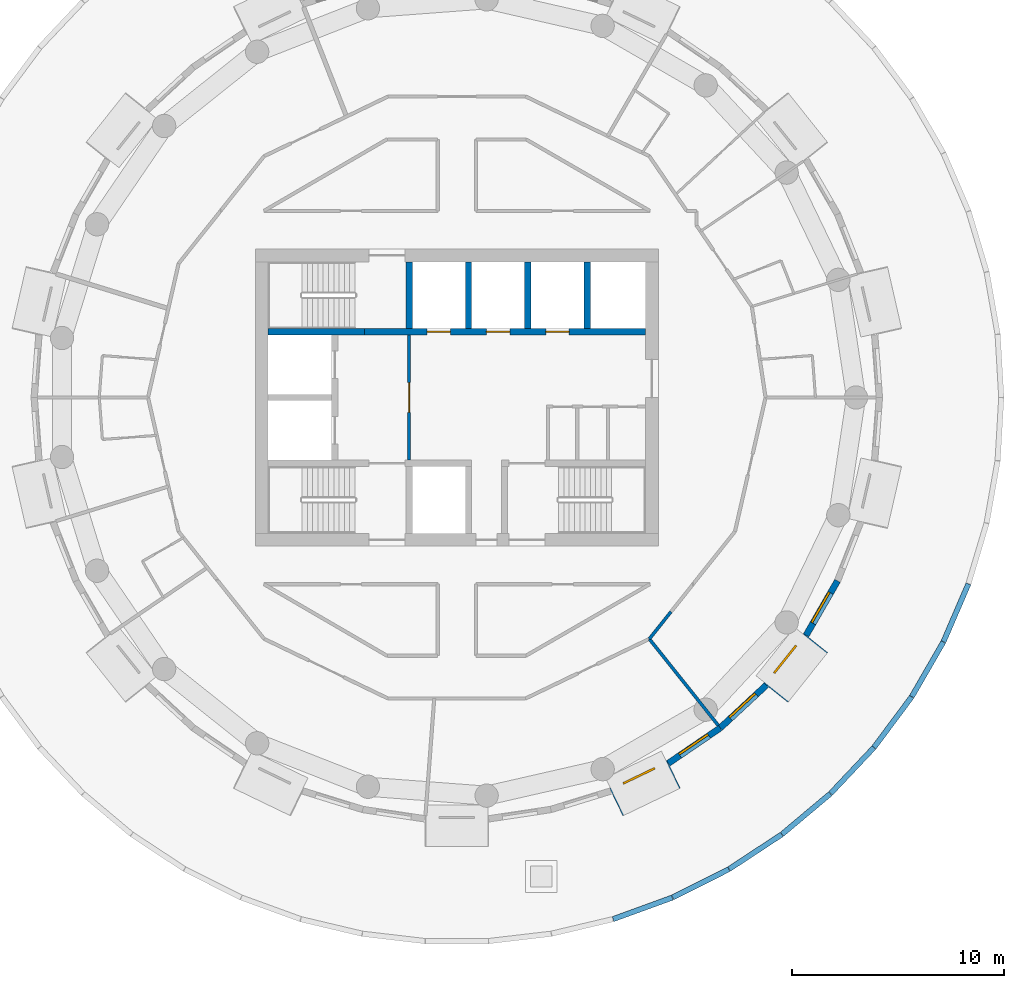
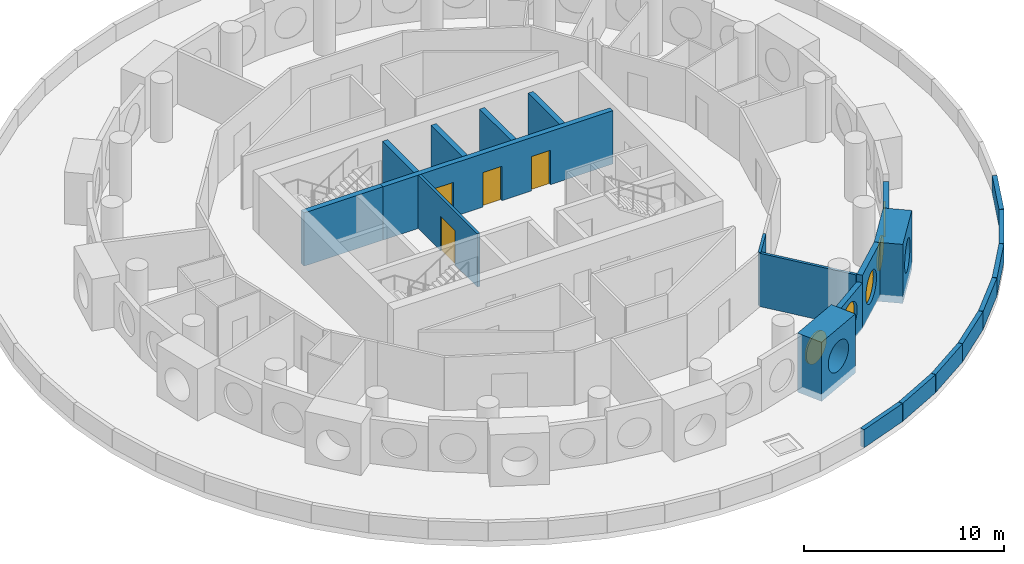
# One storey, part 5 of 13: 22 walls, 5 windows, 4 doors, 9 openings.
"""IFC4 building model written with IfcOpenShell, lengths in metres."""

from ifc_helpers import new_model, si_unit, direction, frame, frame_2d, origin, origin_2d, place, context, subcontext, project, spatial, rectangle, circle, extrude, material, layer, layer_set, type_object, element, fill, save


model = new_model("IFC4")

# Units and contexts
model_context = context("Model", 3, precision=1e-05, world=origin(), true_north=direction((0.0, 1.0)))
body_context = subcontext(model_context, "Body", "Model", "MODEL_VIEW")
ifc_project = project(units=[si_unit("LENGTHUNIT", "METRE"), si_unit("AREAUNIT", "SQUARE_METRE"), si_unit("VOLUMEUNIT", "CUBIC_METRE"), si_unit("PLANEANGLEUNIT", "RADIAN"), si_unit("MASSUNIT", "GRAM", prefix="KILO")], contexts=[model_context])

# Site, building, storey
site_placement = place(None, origin())
site = spatial("IfcSite", under=ifc_project, at=site_placement, CompositionType="ELEMENT")
building_placement = place(site_placement, origin())
building = spatial("IfcBuilding", under=site, at=building_placement, Name="Tracery Tower", CompositionType="ELEMENT")
storey_placement = place(building_placement, frame((0.0, 0.0, 231.0)))
storey = spatial("IfcBuildingStorey", under=building, at=storey_placement, Name="L59", CompositionType="ELEMENT", Elevation=231.0)

# Wall, opening, door
ifc_material_1 = material(Name="Plasterboard on steel studs", Category="steel")
ifc_layer_1 = layer(ifc_material_1, 0.14990234375)
ifc_layer_set_1 = layer_set([ifc_layer_1], Name="Core lobby partition 150")
wall_type_1 = type_object("IfcWallType", Name="Core lobby partition 150", PredefinedType="SOLIDWALL", material=ifc_layer_set_1)
wall_1_placement = place(storey_placement, frame((-2.25, -2.949951171875, 0.0), z_axis=(0.0, 0.0, 1.0), x_axis=(0.0, 1.0, 0.0)))
wall_1 = element("IfcWall", 1, at=wall_1_placement, inside=storey, type_object=wall_type_1, Name="L59 FF lobby E", PredefinedType="SOLIDWALL", context=body_context, shape_type="SweptSolid", body=[
    extrude(rectangle(XDim=5.89990234375, YDim=0.14990234375, at=frame_2d((2.949951171875, 0.0))), origin(), (0.0, 0.0, 1.0), 3.25),
])
opening_1_placement = place(wall_1_placement, frame((2.25, 0.0, 0.0)))
opening_1 = element("IfcOpeningElement", 2, at=opening_1_placement, cuts=wall_1, Name="Opening KD8", PredefinedType="OPENING", context=body_context, shape_type="SweptSolid", body=[
    extrude(rectangle(XDim=1.39990234375, YDim=2.10009765625, at=frame_2d((0.699951171875, 1.050048828125))), frame((0.0, 0.074951171875, 0.0), z_axis=(0.0, -1.0, 0.0), x_axis=(1.0, 0.0, 0.0)), (0.0, 0.0, 1.0), 0.14990234375),
])
ifc_material_2 = material(Name="Steel fire door", Category="steel")
door_type_1 = type_object("IfcDoorType", Name="Core lobby door 1400 double", OperationType="NOTDEFINED", PredefinedType="DOOR", material=ifc_material_2)
door_1_placement = place(opening_1_placement, origin())
door_1 = element("IfcDoor", 3, at=door_1_placement, inside=storey, type_object=door_type_1, Name="Fire-fighting lobby door", OperationType="DOUBLE_DOOR_SINGLE_SWING", OverallHeight=2.10009765625, OverallWidth=1.39990234375, PredefinedType="DOOR", context=body_context, shape_type="SweptSolid", body=[
    extrude(rectangle(XDim=1.39990234375, YDim=2.10009765625, at=frame_2d((0.699951171875, 1.050048828125))), frame((0.0, 0.02490234375, 0.0), z_axis=(0.0, -1.0, 0.0), x_axis=(1.0, 0.0, 0.0)), (0.0, 0.0, 1.0), 0.050048828125),
])
fill(opening_1, door_1)

# Wall, opening, window
ifc_material_3 = material(Name="Precast concrete C50/60", Category="concrete")
ifc_layer_2 = layer(ifc_material_3, 1.449951171875)
ifc_layer_set_2 = layer_set([ifc_layer_2], Name="Deep-set bay unit 3000 x 3600, slab edge 350")
wall_type_2 = type_object("IfcWallType", Name="Deep-set bay unit 3000 x 3600, slab edge 350", PredefinedType="ELEMENTEDWALL", material=ifc_layer_set_2)
wall_2_placement = place(storey_placement, frame((7.517578125, -19.067626953125, -0.35009765625), z_axis=(0.0, 0.0, 1.0), x_axis=(0.900953362039, 0.433915935904, 0.0)))
wall_2 = element("IfcWall", 4, at=wall_2_placement, inside=storey, type_object=wall_type_2, Name="Deep-set bay unit 35 at L59", PredefinedType="ELEMENTEDWALL", context=body_context, shape_type="SweptSolid", body=[
    extrude(rectangle(XDim=3.0, YDim=1.449951171875, at=frame_2d((1.5, 0.0))), origin(), (0.0, 0.0, 1.0), 3.60009765625),
])
opening_2_placement = place(wall_2_placement, frame((1.5, 0.0, 1.89990234375)))
opening_2 = element("IfcOpeningElement", 5, at=opening_2_placement, cuts=wall_2, Name="Opening WN1", PredefinedType="OPENING", context=body_context, shape_type="SweptSolid", body=[
    extrude(circle(Radius=0.9000244140625, at=origin_2d()), frame((0.0, 0.73486328125, 0.0), z_axis=(0.0, -1.0, 0.0), x_axis=(1.0, 0.0, 0.0)), (0.0, 0.0, 1.0), 1.469970703125),
])
ifc_material_4 = material(Name="Aluminium frame with tinted double glazing", Category="aluminium")
window_type = type_object("IfcWindowType", Name="Round window 1800", PartitioningType="SINGLE_PANEL", PredefinedType="WINDOW", material=ifc_material_4)
window_1_placement = place(opening_2_placement, origin())
window_1 = element("IfcWindow", 6, at=window_1_placement, inside=storey, type_object=window_type, Name="Round window 35 at L59", OverallHeight=1.800048828125, OverallWidth=1.800048828125, PartitioningType="SINGLE_PANEL", PredefinedType="WINDOW", context=body_context, shape_type="SweptSolid", body=[
    extrude(circle(Radius=0.9000244140625, at=origin_2d()), frame((0.0, 0.69482421875, 0.0), z_axis=(0.0, -1.0, 0.0), x_axis=(1.0, 0.0, 0.0)), (0.0, 0.0, 1.0), 0.10009765625),
])
fill(opening_2, window_1)

wall_3_placement = place(storey_placement, frame((15.046142578125, -13.91748046875, -0.35009765625), z_axis=(0.0, 0.0, 1.0), x_axis=(0.623523286312, 0.781804778335, 0.0)))
wall_3 = element("IfcWall", 7, at=wall_3_placement, inside=storey, type_object=wall_type_2, Name="Deep-set bay unit 38 at L59", PredefinedType="ELEMENTEDWALL", context=body_context, shape_type="SweptSolid", body=[
    extrude(rectangle(XDim=3.0, YDim=1.449951171875, at=frame_2d((1.5, 0.0))), origin(), (0.0, 0.0, 1.0), 3.60009765625),
])
opening_3_placement = place(wall_3_placement, frame((1.5, 0.0, 1.89990234375)))
opening_3 = element("IfcOpeningElement", 8, at=opening_3_placement, cuts=wall_3, Name="Opening WN1", PredefinedType="OPENING", context=body_context, shape_type="SweptSolid", body=[
    extrude(circle(Radius=0.9000244140625, at=origin_2d()), frame((0.0, 0.73486328125, 0.0), z_axis=(0.0, -1.0, 0.0), x_axis=(1.0, 0.0, 0.0)), (0.0, 0.0, 1.0), 1.469970703125),
])
window_2_placement = place(opening_3_placement, origin())
window_2 = element("IfcWindow", 9, at=window_2_placement, inside=storey, type_object=window_type, Name="Round window 38 at L59", OverallHeight=1.800048828125, OverallWidth=1.800048828125, PartitioningType="SINGLE_PANEL", PredefinedType="WINDOW", context=body_context, shape_type="SweptSolid", body=[
    extrude(circle(Radius=0.9000244140625, at=origin_2d()), frame((0.0, 0.69482421875, 0.0), z_axis=(0.0, -1.0, 0.0), x_axis=(1.0, 0.0, 0.0)), (0.0, 0.0, 1.0), 0.10009765625),
])
fill(opening_3, window_2)

ifc_material_5 = material(Name="Precast concrete C50/60", Category="concrete")
ifc_layer_3 = layer(ifc_material_5, 0.300048828125)
ifc_layer_set_3 = layer_set([ifc_layer_3], Name="Facade panel 3000 x 2800")
wall_type_3 = type_object("IfcWallType", Name="Facade panel 3000 x 2800", PredefinedType="SOLIDWALL", material=ifc_layer_set_3)
wall_4_placement = place(storey_placement, frame((9.9736328125, -17.244140625, 0.0), z_axis=(0.0, 0.0, 1.0), x_axis=(0.826236061068, 0.563324037646, 0.0)))
wall_4 = element("IfcWall", 10, at=wall_4_placement, inside=storey, type_object=wall_type_3, Name="Facade panel 36 at L59", PredefinedType="SOLIDWALL", context=body_context, shape_type="SweptSolid", body=[
    extrude(rectangle(XDim=2.962158203125, YDim=0.300048828125, at=frame_2d((1.48095703125, 0.0))), origin(), (0.0, 0.0, 1.0), 2.800048828125),
])
opening_4_placement = place(wall_4_placement, frame((1.48095703125, 0.0, 1.5498046875)))
opening_4 = element("IfcOpeningElement", 11, at=opening_4_placement, cuts=wall_4, Name="Opening WN1", PredefinedType="OPENING", context=body_context, shape_type="SweptSolid", body=[
    extrude(circle(Radius=0.9000244140625, at=origin_2d()), frame((0.0, 0.159912109375, 0.0), z_axis=(0.0, -1.0, 0.0), x_axis=(1.0, 0.0, 0.0)), (0.0, 0.0, 1.0), 0.320068359375),
])
window_3_placement = place(opening_4_placement, origin())
window_3 = element("IfcWindow", 12, at=window_3_placement, inside=storey, type_object=window_type, Name="Round window 36 at L59", OverallHeight=1.800048828125, OverallWidth=1.800048828125, PartitioningType="SINGLE_PANEL", PredefinedType="WINDOW", context=body_context, shape_type="SweptSolid", body=[
    extrude(circle(Radius=0.9000244140625, at=origin_2d()), frame((0.0, 0.1201171875, 0.0), z_axis=(0.0, -1.0, 0.0), x_axis=(1.0, 0.0, 0.0)), (0.0, 0.0, 1.0), 0.10009765625),
])
fill(opening_4, window_3)

wall_5_placement = place(storey_placement, frame((16.4677734375, -11.209228515625, 0.0), z_axis=(0.0, 0.0, 1.0), x_axis=(0.500012570604, 0.866018146021, 0.0)))
wall_5 = element("IfcWall", 13, at=wall_5_placement, inside=storey, type_object=wall_type_3, Name="Facade panel 39 at L59", PredefinedType="SOLIDWALL", context=body_context, shape_type="SweptSolid", body=[
    extrude(rectangle(XDim=2.96240234375, YDim=0.300048828125, at=frame_2d((1.481201171875, 0.0))), origin(), (0.0, 0.0, 1.0), 2.800048828125),
])
opening_5_placement = place(wall_5_placement, frame((1.48095703125, 0.0, 1.5498046875)))
opening_5 = element("IfcOpeningElement", 14, at=opening_5_placement, cuts=wall_5, Name="Opening WN1", PredefinedType="OPENING", context=body_context, shape_type="SweptSolid", body=[
    extrude(circle(Radius=0.9000244140625, at=origin_2d()), frame((0.0, 0.159912109375, 0.0), z_axis=(0.0, -1.0, 0.0), x_axis=(1.0, 0.0, 0.0)), (0.0, 0.0, 1.0), 0.320068359375),
])
window_4_placement = place(opening_5_placement, origin())
window_4 = element("IfcWindow", 15, at=window_4_placement, inside=storey, type_object=window_type, Name="Round window 39 at L59", OverallHeight=1.800048828125, OverallWidth=1.800048828125, PartitioningType="SINGLE_PANEL", PredefinedType="WINDOW", context=body_context, shape_type="SweptSolid", body=[
    extrude(circle(Radius=0.9000244140625, at=origin_2d()), frame((0.0, 0.1201171875, 0.0), z_axis=(0.0, -1.0, 0.0), x_axis=(1.0, 0.0, 0.0)), (0.0, 0.0, 1.0), 0.10009765625),
])
fill(opening_5, window_4)

ifc_material_6 = material(Name="Precast concrete C50/60", Category="concrete")
ifc_layer_4 = layer(ifc_material_6, 0.300048828125)
ifc_layer_set_4 = layer_set([ifc_layer_4], Name="Facade panel 3000 x 3250")
wall_type_4 = type_object("IfcWallType", Name="Facade panel 3000 x 3250", PredefinedType="SOLIDWALL", material=ifc_layer_set_4)
wall_6_placement = place(storey_placement, frame((12.421142578125, -15.575439453125, 0.0), z_axis=(0.0, 0.0, 1.0), x_axis=(0.733028283666, 0.680198158882, 0.0)))
wall_6 = element("IfcWall", 16, at=wall_6_placement, inside=storey, type_object=wall_type_4, Name="Facade panel 37 at L59", PredefinedType="SOLIDWALL", context=body_context, shape_type="SweptSolid", body=[
    extrude(rectangle(XDim=2.962158203125, YDim=0.300048828125, at=frame_2d((1.48095703125, 0.0))), origin(), (0.0, 0.0, 1.0), 3.25),
])
opening_6_placement = place(wall_6_placement, frame((1.48095703125, 0.0, 1.5498046875)))
opening_6 = element("IfcOpeningElement", 17, at=opening_6_placement, cuts=wall_6, Name="Opening WN1", PredefinedType="OPENING", context=body_context, shape_type="SweptSolid", body=[
    extrude(circle(Radius=0.9000244140625, at=origin_2d()), frame((0.0, 0.159912109375, 0.0), z_axis=(0.0, -1.0, 0.0), x_axis=(1.0, 0.0, 0.0)), (0.0, 0.0, 1.0), 0.320068359375),
])
window_5_placement = place(opening_6_placement, origin())
window_5 = element("IfcWindow", 18, at=window_5_placement, inside=storey, type_object=window_type, Name="Round window 37 at L59", OverallHeight=1.800048828125, OverallWidth=1.800048828125, PartitioningType="SINGLE_PANEL", PredefinedType="WINDOW", context=body_context, shape_type="SweptSolid", body=[
    extrude(circle(Radius=0.9000244140625, at=origin_2d()), frame((0.0, 0.1201171875, 0.0), z_axis=(0.0, -1.0, 0.0), x_axis=(1.0, 0.0, 0.0)), (0.0, 0.0, 1.0), 0.10009765625),
])
fill(opening_6, window_5)

# Walls
ifc_material_7 = material(Name="Plasterboard on steel studs", Category="steel")
ifc_layer_5 = layer(ifc_material_7, 0.14990234375)
ifc_layer_set_5 = layer_set([ifc_layer_5], Name="Partition 150 acoustic unit wall")
wall_type_5 = type_object("IfcWallType", Name="Partition 150 acoustic unit wall", PredefinedType="PARTITIONING", material=ifc_layer_set_5)
wall_7_placement = place(storey_placement, frame((9.075927734375, -11.381103515625, 0.0), z_axis=(0.0, 0.0, 1.0), x_axis=(0.623460949534, -0.781854490558, 0.0)))
element("IfcWall", 19, at=wall_7_placement, inside=storey, type_object=wall_type_5, Name="Unit wall RC1-070", PredefinedType="PARTITIONING", context=body_context, shape_type="SweptSolid", body=[
    extrude(rectangle(XDim=5.21435546875, YDim=0.14990234375, at=frame_2d((2.607177734375, 0.0))), origin(), (0.0, 0.0, 1.0), 3.25),
])
ifc_material_8 = material(Name="Plasterboard on steel studs", Category="steel")
ifc_layer_6 = layer(ifc_material_8, 0.14990234375)
ifc_layer_set_6 = layer_set([ifc_layer_6], Name="Partition 150 corridor wall")
wall_type_6 = type_object("IfcWallType", Name="Partition 150 corridor wall", PredefinedType="PARTITIONING", material=ifc_layer_set_6)
wall_8_placement = place(storey_placement, frame((9.075927734375, -11.381103515625, 0.0), z_axis=(0.0, 0.0, 1.0), x_axis=(0.623805208652, 0.781579849829, 0.0)))
element("IfcWall", 20, at=wall_8_placement, inside=storey, type_object=wall_type_6, Name="Corridor wall RC1-045", PredefinedType="PARTITIONING", context=body_context, shape_type="SweptSolid", body=[
    extrude(rectangle(XDim=1.64013671875, YDim=0.14990234375, at=frame_2d((0.820068359375, 0.0))), origin(), (0.0, 0.0, 1.0), 3.25),
])
ifc_material_9 = material(Name="Concrete C40/50", Category="concrete")
ifc_layer_7 = layer(ifc_material_9, 0.300048828125)
ifc_layer_set_7 = layer_set([ifc_layer_7], Name="Shaft wall 300 C40")
wall_type_7 = type_object("IfcWallType", Name="Shaft wall 300 C40", PredefinedType="SOLIDWALL", material=ifc_layer_set_7)
for number, where, z_axis, x_axis, name in (
    (21, (0.550048828125, 3.25, 0.0), (0.0, 0.0, 1.0), (0.0, 1.0, 0.0), "L59 HR sep 1"),
    (22, (3.35009765625, 3.25, 0.0), (0.0, 0.0, 1.0), (0.0, 1.0, 0.0), "L59 HR sep 2"),
    (23, (6.14990234375, 3.25, 0.0), (0.0, 0.0, 1.0), (0.0, 1.0, 0.0), "L59 HR sep 3"),
):
    element("IfcWall", number, at=place(storey_placement, frame(where, z_axis=z_axis, x_axis=x_axis)), inside=storey, type_object=wall_type_7, Name=name, PredefinedType="SOLIDWALL", context=body_context, shape_type="SweptSolid", body=[
        extrude(rectangle(XDim=3.14990234375, YDim=0.300048828125, at=frame_2d((1.574951171875, 0.0))), origin(), (0.0, 0.0, 1.0), 3.25),
    ])
ifc_material_10 = material(Name="Concrete C40/50", Category="concrete")
ifc_layer_8 = layer(ifc_material_10, 0.300048828125)
ifc_layer_set_8 = layer_set([ifc_layer_8], Name="Stair wall 300 C40")
wall_type_8 = type_object("IfcWallType", Name="Stair wall 300 C40", PredefinedType="SOLIDWALL", material=ifc_layer_set_8)
wall_9_placement = place(storey_placement, frame((-8.89990234375, 3.10009765625, 0.0), z_axis=(0.0, 0.0, 1.0), x_axis=(1.0, 0.0, 0.0)))
element("IfcWall", 24, at=wall_9_placement, inside=storey, type_object=wall_type_8, Name="L59 row N W", PredefinedType="SOLIDWALL", context=body_context, shape_type="SweptSolid", body=[
    extrude(rectangle(XDim=4.5498046875, YDim=0.300048828125, at=frame_2d((2.27490234375, 0.0))), origin(), (0.0, 0.0, 1.0), 3.25),
])

# Wall, openings, doors
wall_10_placement = place(storey_placement, frame((-4.35009765625, 3.10009765625, 0.0), z_axis=(0.0, 0.0, 1.0), x_axis=(1.0, 0.0, 0.0)))
wall_10 = element("IfcWall", 25, at=wall_10_placement, inside=storey, type_object=wall_type_8, Name="L59 row N", PredefinedType="SOLIDWALL", context=body_context, shape_type="SweptSolid", body=[
    extrude(rectangle(XDim=13.25, YDim=0.300048828125, at=frame_2d((6.625, 0.0))), origin(), (0.0, 0.0, 1.0), 3.25),
])
opening_7_placement = place(wall_10_placement, frame((2.949951171875, 0.0, 0.0)))
opening_7 = element("IfcOpeningElement", 26, at=opening_7_placement, cuts=wall_10, Name="Opening KD49", PredefinedType="OPENING", context=body_context, shape_type="SweptSolid", body=[
    extrude(rectangle(XDim=1.10009765625, YDim=2.10009765625, at=frame_2d((0.550048828125, 1.050048828125))), frame((0.0, 0.14990234375, 0.0), z_axis=(0.0, -1.0, 0.0), x_axis=(1.0, 0.0, 0.0)), (0.0, 0.0, 1.0), 0.300048828125),
])
opening_8_placement = place(wall_10_placement, frame((5.75, 0.0, 0.0)))
opening_8 = element("IfcOpeningElement", 27, at=opening_8_placement, cuts=wall_10, Name="Opening KD50", PredefinedType="OPENING", context=body_context, shape_type="SweptSolid", body=[
    extrude(rectangle(XDim=1.10009765625, YDim=2.10009765625, at=frame_2d((0.550048828125, 1.050048828125))), frame((0.0, 0.14990234375, 0.0), z_axis=(0.0, -1.0, 0.0), x_axis=(1.0, 0.0, 0.0)), (0.0, 0.0, 1.0), 0.300048828125),
])
opening_9_placement = place(wall_10_placement, frame((8.550048828125, 0.0, 0.0)))
opening_9 = element("IfcOpeningElement", 28, at=opening_9_placement, cuts=wall_10, Name="Opening KD49", PredefinedType="OPENING", context=body_context, shape_type="SweptSolid", body=[
    extrude(rectangle(XDim=1.10009765625, YDim=2.10009765625, at=frame_2d((0.550048828125, 1.050048828125))), frame((0.0, 0.14990234375, 0.0), z_axis=(0.0, -1.0, 0.0), x_axis=(1.0, 0.0, 0.0)), (0.0, 0.0, 1.0), 0.300048828125),
])
ifc_material_11 = material(Name="Steel fire door", Category="steel")
door_type_2 = type_object("IfcDoorType", Name="Landing door 1100", OperationType="NOTDEFINED", PredefinedType="DOOR", material=ifc_material_11)
door_2_placement = place(opening_7_placement, origin())
door_2 = element("IfcDoor", 29, at=door_2_placement, inside=storey, type_object=door_type_2, Name="Landing door HR1", OperationType="SLIDING_TO_LEFT", OverallHeight=2.10009765625, OverallWidth=1.10009765625, PredefinedType="DOOR", context=body_context, shape_type="SweptSolid", body=[
    extrude(rectangle(XDim=1.10009765625, YDim=2.10009765625, at=frame_2d((0.550048828125, 1.050048828125))), frame((0.0, 0.02490234375, 0.0), z_axis=(0.0, -1.0, 0.0), x_axis=(1.0, 0.0, 0.0)), (0.0, 0.0, 1.0), 0.050048828125),
])
fill(opening_7, door_2)
door_3_placement = place(opening_8_placement, origin())
door_3 = element("IfcDoor", 30, at=door_3_placement, inside=storey, type_object=door_type_2, Name="Landing door HR2", OperationType="SLIDING_TO_RIGHT", OverallHeight=2.10009765625, OverallWidth=1.10009765625, PredefinedType="DOOR", context=body_context, shape_type="SweptSolid", body=[
    extrude(rectangle(XDim=1.10009765625, YDim=2.10009765625, at=frame_2d((0.550048828125, 1.050048828125))), frame((0.0, 0.02490234375, 0.0), z_axis=(0.0, -1.0, 0.0), x_axis=(1.0, 0.0, 0.0)), (0.0, 0.0, 1.0), 0.050048828125),
])
fill(opening_8, door_3)
door_4_placement = place(opening_9_placement, origin())
door_4 = element("IfcDoor", 31, at=door_4_placement, inside=storey, type_object=door_type_2, Name="Landing door HR3", OperationType="SLIDING_TO_LEFT", OverallHeight=2.10009765625, OverallWidth=1.10009765625, PredefinedType="DOOR", context=body_context, shape_type="SweptSolid", body=[
    extrude(rectangle(XDim=1.10009765625, YDim=2.10009765625, at=frame_2d((0.550048828125, 1.050048828125))), frame((0.0, 0.02490234375, 0.0), z_axis=(0.0, -1.0, 0.0), x_axis=(1.0, 0.0, 0.0)), (0.0, 0.0, 1.0), 0.050048828125),
])
fill(opening_9, door_4)

# Walls
wall_11_placement = place(storey_placement, frame((-2.25, 3.25, 0.0), z_axis=(0.0, 0.0, 1.0), x_axis=(0.0, 1.0, 0.0)))
element("IfcWall", 32, at=wall_11_placement, inside=storey, type_object=wall_type_8, Name="L59 ST3 E", PredefinedType="SOLIDWALL", context=body_context, shape_type="SweptSolid", body=[
    extrude(rectangle(XDim=3.14990234375, YDim=0.300048828125, at=frame_2d((1.574951171875, 0.0))), origin(), (0.0, 0.0, 1.0), 3.25),
])
ifc_material_12 = material(Name="Precast concrete C50/60", Category="concrete")
ifc_layer_9 = layer(ifc_material_12, 0.25)
ifc_layer_set_9 = layer_set([ifc_layer_9], Name="Terrace parapet 250")
wall_type_9 = type_object("IfcWallType", Name="Terrace parapet 250", PredefinedType="PARAPET", material=ifc_layer_set_9)
wall_12_placement = place(storey_placement, frame((7.37060546875, -24.591064453125, 0.0), z_axis=(0.0, 0.0, 1.0), x_axis=(0.93970456121, 0.341987335498, 0.0)))
element("IfcWall", 33, at=wall_12_placement, inside=storey, type_object=wall_type_9, Name="Terrace parapet L59 44", PredefinedType="PARAPET", context=body_context, shape_type="SweptSolid", body=[
    extrude(rectangle(XDim=2.968994140625, YDim=0.25, at=frame_2d((1.484375, 0.0))), origin(), (0.0, 0.0, 1.0), 1.10009765625),
])
for number, where, z_axis, x_axis, name in (
    (34, (10.17578125, -23.569091796875, 0.0), (0.0, 0.0, 1.0), (0.893652841429, 0.448758954235, 0.0), "Terrace parapet L59 45"),
    (35, (12.84326171875, -22.228515625, 0.0), (0.0, 0.0, 1.0), (0.83543794874, 0.549584783092, 0.0), "Terrace parapet L59 46"),
    (36, (15.3369140625, -20.587158203125, 0.0), (0.0, 0.0, 1.0), (0.766012577195, 0.642825584104, 0.0), "Terrace parapet L59 47"),
    (37, (17.623291015625, -18.66748046875, 0.0), (0.0, 0.0, 1.0), (0.686249159737, 0.727366544982, 0.0), "Terrace parapet L59 48"),
    (38, (19.671142578125, -16.495361328125, 0.0), (0.0, 0.0, 1.0), (0.597180604303, 0.802106804512, 0.0), "Terrace parapet L59 49"),
    (39, (21.453125, -14.10009765625, 0.0), (0.0, 0.0, 1.0), (0.499995331975, 0.866028098853, 0.0), "Terrace parapet L59 50"),
):
    element("IfcWall", number, at=place(storey_placement, frame(where, z_axis=z_axis, x_axis=x_axis)), inside=storey, type_object=wall_type_9, Name=name, PredefinedType="PARAPET", context=body_context, shape_type="SweptSolid", body=[
        extrude(rectangle(XDim=2.96875, YDim=0.25, at=frame_2d((1.484375, 0.0))), origin(), (0.0, 0.0, 1.0), 1.10009765625),
    ])
wall_13_placement = place(storey_placement, frame((22.945068359375, -11.51416015625, 0.0), z_axis=(0.0, 0.0, 1.0), x_axis=(0.396111502738, 0.918202416354, 0.0)))
element("IfcWall", 40, at=wall_13_placement, inside=storey, type_object=wall_type_9, Name="Terrace parapet L59 51", PredefinedType="PARAPET", context=body_context, shape_type="SweptSolid", body=[
    extrude(rectangle(XDim=2.968994140625, YDim=0.25, at=frame_2d((1.484375, 0.0))), origin(), (0.0, 0.0, 1.0), 1.10009765625),
])

save(model, "model.ifc")
